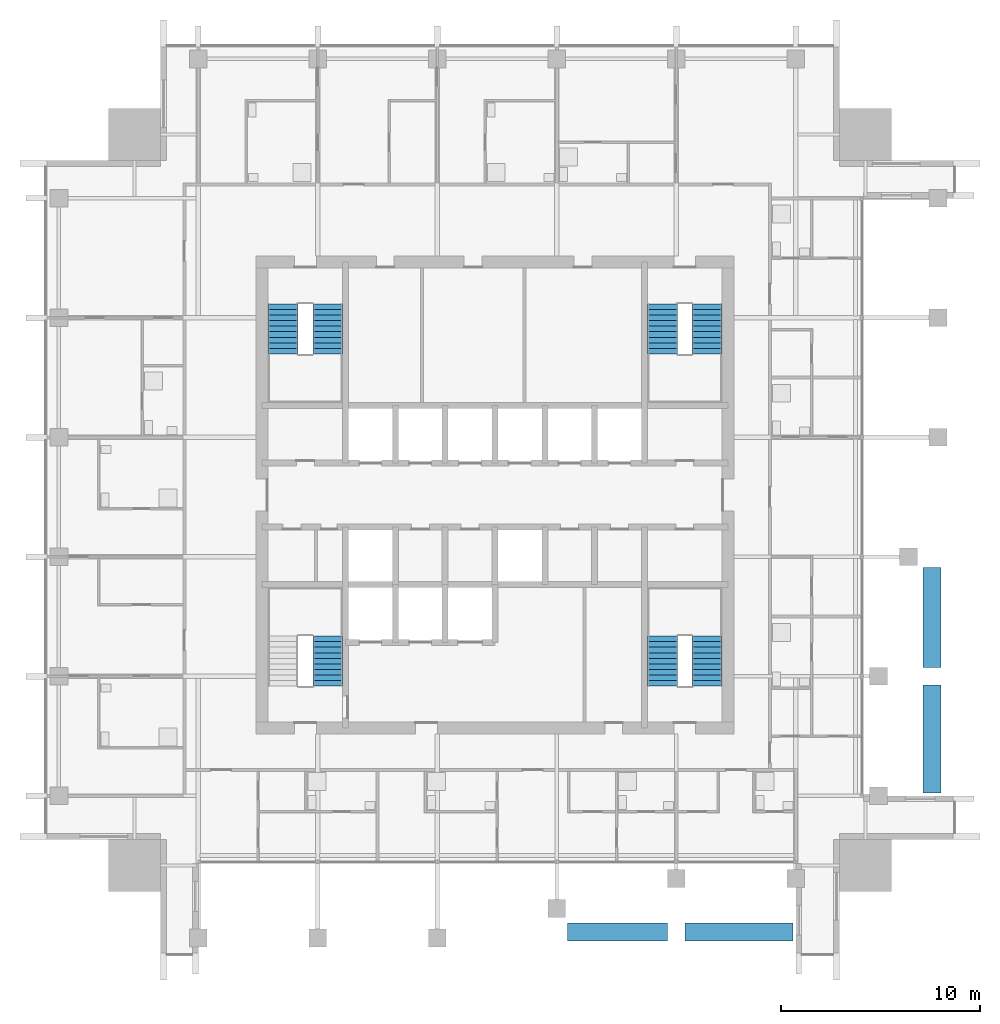
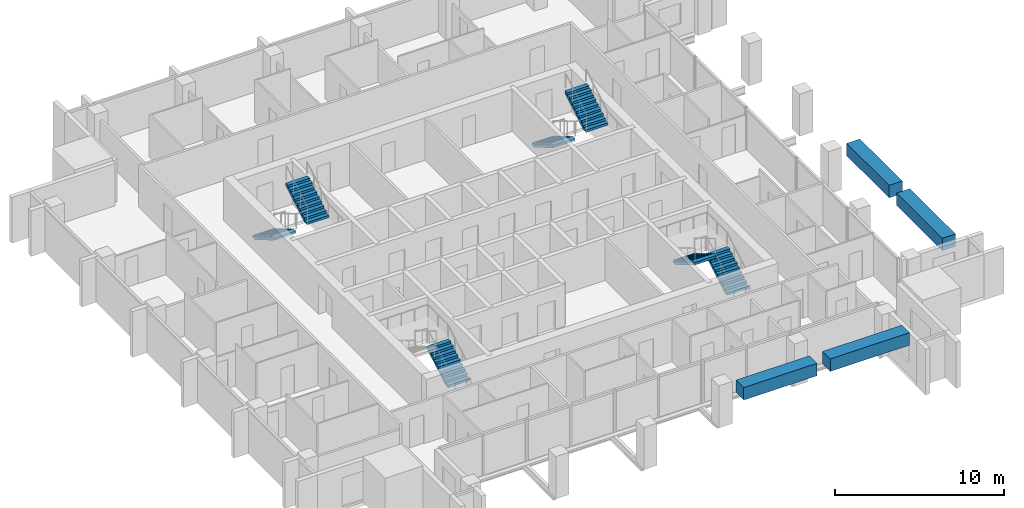
# One storey, part 12 of 14: 7 stair flights, 4 discrete accessories, 4 elements without a shape of their own.
"""IFC4 building model written with IfcOpenShell, lengths in metres."""

from ifc_helpers import new_model, si_unit, direction, frame, origin, origin_2d, place, context, subcontext, project, spatial, polyline, rectangle, outline, extrude, material, type_object, element, aggregate, save


model = new_model("IFC4")

# Units and contexts
model_context = context("Model", 3, precision=1e-05, world=origin(), true_north=direction((0.0, 1.0)))
body_context = subcontext(model_context, "Body", "Model", "MODEL_VIEW")
ifc_project = project(units=[si_unit("LENGTHUNIT", "METRE"), si_unit("AREAUNIT", "SQUARE_METRE"), si_unit("VOLUMEUNIT", "CUBIC_METRE"), si_unit("PLANEANGLEUNIT", "RADIAN"), si_unit("MASSUNIT", "GRAM", prefix="KILO")], contexts=[model_context])

# Site, building, storey
site_placement = place(None, origin())
site = spatial("IfcSite", under=ifc_project, at=site_placement, CompositionType="ELEMENT")
building_placement = place(site_placement, origin())
building = spatial("IfcBuilding", under=site, at=building_placement, Name="Amberfall Residences", CompositionType="ELEMENT")
storey_placement = place(building_placement, frame((0.0, 0.0, 220.0)))
storey = spatial("IfcBuildingStorey", under=building, at=storey_placement, Name="L59", CompositionType="ELEMENT", Elevation=220.0)

# Stair, stair flight
ifc_material = material(Name="Concrete C40", Category="concrete")
stair_type = type_object("IfcStairType", Name="Exit stair 20 risers 165.0 mm", PredefinedType="HALF_TURN_STAIR", material=ifc_material)
stair_1_placement = place(storey_placement, origin())
stair_1 = element("IfcStair", 1, at=stair_1_placement, inside=storey, type_object=stair_type, Name="L59 Exit stair 1", PredefinedType="HALF_TURN_STAIR")
stair_flight_type = type_object("IfcStairFlightType", Name="Stair flight 10 risers 165.0 mm", PredefinedType="STRAIGHT", material=ifc_material)
stair_flight_1_placement = place(storey_placement, frame((66.10009765625, 35.89990234375, 0.0), z_axis=(0.0, 0.0, 1.0), x_axis=(0.0, 1.0, 0.0)))
stair_flight_1 = element("IfcStairFlight", 2, at=stair_flight_1_placement, type_object=stair_flight_type, Name="ST3 flight 1", NumberOfRisers=10, NumberOfTreads=9, PredefinedType="STRAIGHT", RiserHeight=0.165, TreadLength=0.28, context=body_context, shape_type="SweptSolid", body=[
    extrude(outline(polyline([(0.0, 0.0), (0.0, 0.1650390625), (0.280029296875, 0.1650390625), (0.280029296875, 0.330078125), (0.56005859375, 0.330078125), (0.56005859375, 0.4951171875), (0.840087890625, 0.4951171875), (0.840087890625, 0.659912109375), (1.1201171875, 0.659912109375), (1.1201171875, 0.824951171875), (1.39990234375, 0.824951171875), (1.39990234375, 0.989990234375), (1.679931640625, 0.989990234375), (1.679931640625, 1.155029296875), (1.9599609375, 1.155029296875), (1.9599609375, 1.320068359375), (2.239990234375, 1.320068359375), (2.239990234375, 1.485107421875), (2.52001953125, 1.485107421875), (2.52001953125, 1.64990234375), (2.52001953125, 1.31103515625), (0.295166015625, 0.0), (0.0, 0.0)])), frame((0.0, 0.75, 0.0), z_axis=(0.0, -1.0, 0.0), x_axis=(1.0, 0.0, 0.0)), (0.0, 0.0, 1.0), 1.5),
])
aggregate(stair_1, [stair_flight_1])

# Stair, stair flights
stair_2_placement = place(storey_placement, origin())
stair_2 = element("IfcStair", 3, at=stair_2_placement, inside=storey, type_object=stair_type, Name="L59 Exit stair 2", PredefinedType="HALF_TURN_STAIR")
stair_flight_2_placement = place(storey_placement, frame((85.14990234375, 35.89990234375, 0.0), z_axis=(0.0, 0.0, 1.0), x_axis=(0.0, 1.0, 0.0)))
stair_flight_2 = element("IfcStairFlight", 4, at=stair_flight_2_placement, type_object=stair_flight_type, Name="ST3 flight 1", NumberOfRisers=10, NumberOfTreads=9, PredefinedType="STRAIGHT", RiserHeight=0.165, TreadLength=0.28, context=body_context, shape_type="SweptSolid", body=[
    extrude(outline(polyline([(0.0, 0.0), (0.0, 0.1650390625), (0.280029296875, 0.1650390625), (0.280029296875, 0.330078125), (0.56005859375, 0.330078125), (0.56005859375, 0.4951171875), (0.840087890625, 0.4951171875), (0.840087890625, 0.659912109375), (1.1201171875, 0.659912109375), (1.1201171875, 0.824951171875), (1.39990234375, 0.824951171875), (1.39990234375, 0.989990234375), (1.679931640625, 0.989990234375), (1.679931640625, 1.155029296875), (1.9599609375, 1.155029296875), (1.9599609375, 1.320068359375), (2.239990234375, 1.320068359375), (2.239990234375, 1.485107421875), (2.52001953125, 1.485107421875), (2.52001953125, 1.64990234375), (2.52001953125, 1.31103515625), (0.295166015625, 0.0), (0.0, 0.0)])), frame((0.0, 0.75, 0.0), z_axis=(0.0, -1.0, 0.0), x_axis=(1.0, 0.0, 0.0)), (0.0, 0.0, 1.0), 1.5),
])
stair_flight_3_placement = place(storey_placement, frame((82.89990234375, 38.419921875, 1.64990234375), z_axis=(0.0, 0.0, 1.0), x_axis=(0.0, -1.0, 0.0)))
stair_flight_3 = element("IfcStairFlight", 5, at=stair_flight_3_placement, type_object=stair_flight_type, Name="ST3 flight 2", NumberOfRisers=10, NumberOfTreads=9, PredefinedType="STRAIGHT", RiserHeight=0.165, TreadLength=0.28, context=body_context, shape_type="SweptSolid", body=[
    extrude(outline(polyline([(0.0, 0.0), (0.0, 0.1650390625), (0.280029296875, 0.1650390625), (0.280029296875, 0.330078125), (0.56005859375, 0.330078125), (0.56005859375, 0.4951171875), (0.840087890625, 0.4951171875), (0.840087890625, 0.659912109375), (1.1201171875, 0.659912109375), (1.1201171875, 0.824951171875), (1.39990234375, 0.824951171875), (1.39990234375, 0.989990234375), (1.679931640625, 0.989990234375), (1.679931640625, 1.155029296875), (1.9599609375, 1.155029296875), (1.9599609375, 1.320068359375), (2.239990234375, 1.320068359375), (2.239990234375, 1.485107421875), (2.52001953125, 1.485107421875), (2.52001953125, 1.64990234375), (2.52001953125, 1.31103515625), (0.295166015625, 0.0), (0.0, 0.0)])), frame((0.0, 0.75, 0.0), z_axis=(0.0, -1.0, 0.0), x_axis=(1.0, 0.0, 0.0)), (0.0, 0.0, 1.0), 1.5),
])
aggregate(stair_2, [stair_flight_2, stair_flight_3])

stair_3_placement = place(storey_placement, origin())
stair_3 = element("IfcStair", 6, at=stair_3_placement, inside=storey, type_object=stair_type, Name="L59 Exit stair 3", PredefinedType="HALF_TURN_STAIR")
stair_flight_4_placement = place(storey_placement, frame((82.89990234375, 55.10009765625, 0.0), z_axis=(0.0, 0.0, 1.0), x_axis=(0.0, -1.0, 0.0)))
stair_flight_4 = element("IfcStairFlight", 7, at=stair_flight_4_placement, type_object=stair_flight_type, Name="ST3 flight 1", NumberOfRisers=10, NumberOfTreads=9, PredefinedType="STRAIGHT", RiserHeight=0.165, TreadLength=0.28, context=body_context, shape_type="SweptSolid", body=[
    extrude(outline(polyline([(0.0, 0.0), (0.0, 0.1650390625), (0.280029296875, 0.1650390625), (0.280029296875, 0.330078125), (0.56005859375, 0.330078125), (0.56005859375, 0.4951171875), (0.840087890625, 0.4951171875), (0.840087890625, 0.659912109375), (1.1201171875, 0.659912109375), (1.1201171875, 0.824951171875), (1.39990234375, 0.824951171875), (1.39990234375, 0.989990234375), (1.679931640625, 0.989990234375), (1.679931640625, 1.155029296875), (1.9599609375, 1.155029296875), (1.9599609375, 1.320068359375), (2.239990234375, 1.320068359375), (2.239990234375, 1.485107421875), (2.52001953125, 1.485107421875), (2.52001953125, 1.64990234375), (2.52001953125, 1.31103515625), (0.295166015625, 0.0), (0.0, 0.0)])), frame((0.0, 0.75, 0.0), z_axis=(0.0, -1.0, 0.0), x_axis=(1.0, 0.0, 0.0)), (0.0, 0.0, 1.0), 1.5),
])
stair_flight_5_placement = place(storey_placement, frame((85.14990234375, 52.580078125, 1.64990234375), z_axis=(0.0, 0.0, 1.0), x_axis=(0.0, 1.0, 0.0)))
stair_flight_5 = element("IfcStairFlight", 8, at=stair_flight_5_placement, type_object=stair_flight_type, Name="ST3 flight 2", NumberOfRisers=10, NumberOfTreads=9, PredefinedType="STRAIGHT", RiserHeight=0.165, TreadLength=0.28, context=body_context, shape_type="SweptSolid", body=[
    extrude(outline(polyline([(0.0, 0.0), (0.0, 0.1650390625), (0.280029296875, 0.1650390625), (0.280029296875, 0.330078125), (0.56005859375, 0.330078125), (0.56005859375, 0.4951171875), (0.840087890625, 0.4951171875), (0.840087890625, 0.659912109375), (1.1201171875, 0.659912109375), (1.1201171875, 0.824951171875), (1.39990234375, 0.824951171875), (1.39990234375, 0.989990234375), (1.679931640625, 0.989990234375), (1.679931640625, 1.155029296875), (1.9599609375, 1.155029296875), (1.9599609375, 1.320068359375), (2.239990234375, 1.320068359375), (2.239990234375, 1.485107421875), (2.52001953125, 1.485107421875), (2.52001953125, 1.64990234375), (2.52001953125, 1.31103515625), (0.295166015625, 0.0), (0.0, 0.0)])), frame((0.0, 0.75, 0.0), z_axis=(0.0, -1.0, 0.0), x_axis=(1.0, 0.0, 0.0)), (0.0, 0.0, 1.0), 1.5),
])
aggregate(stair_3, [stair_flight_4, stair_flight_5])

stair_4_placement = place(storey_placement, origin())
stair_4 = element("IfcStair", 9, at=stair_4_placement, inside=storey, type_object=stair_type, Name="L59 Exit stair 4", PredefinedType="HALF_TURN_STAIR")
stair_flight_6_placement = place(storey_placement, frame((63.85009765625, 55.10009765625, 0.0), z_axis=(0.0, 0.0, 1.0), x_axis=(0.0, -1.0, 0.0)))
stair_flight_6 = element("IfcStairFlight", 10, at=stair_flight_6_placement, type_object=stair_flight_type, Name="ST3 flight 1", NumberOfRisers=10, NumberOfTreads=9, PredefinedType="STRAIGHT", RiserHeight=0.165, TreadLength=0.28, context=body_context, shape_type="SweptSolid", body=[
    extrude(outline(polyline([(0.0, 0.0), (0.0, 0.1650390625), (0.280029296875, 0.1650390625), (0.280029296875, 0.330078125), (0.56005859375, 0.330078125), (0.56005859375, 0.4951171875), (0.840087890625, 0.4951171875), (0.840087890625, 0.659912109375), (1.1201171875, 0.659912109375), (1.1201171875, 0.824951171875), (1.39990234375, 0.824951171875), (1.39990234375, 0.989990234375), (1.679931640625, 0.989990234375), (1.679931640625, 1.155029296875), (1.9599609375, 1.155029296875), (1.9599609375, 1.320068359375), (2.239990234375, 1.320068359375), (2.239990234375, 1.485107421875), (2.52001953125, 1.485107421875), (2.52001953125, 1.64990234375), (2.52001953125, 1.31103515625), (0.295166015625, 0.0), (0.0, 0.0)])), frame((0.0, 0.75, 0.0), z_axis=(0.0, -1.0, 0.0), x_axis=(1.0, 0.0, 0.0)), (0.0, 0.0, 1.0), 1.5),
])
stair_flight_7_placement = place(storey_placement, frame((66.10009765625, 52.580078125, 1.64990234375), z_axis=(0.0, 0.0, 1.0), x_axis=(0.0, 1.0, 0.0)))
stair_flight_7 = element("IfcStairFlight", 11, at=stair_flight_7_placement, type_object=stair_flight_type, Name="ST3 flight 2", NumberOfRisers=10, NumberOfTreads=9, PredefinedType="STRAIGHT", RiserHeight=0.165, TreadLength=0.28, context=body_context, shape_type="SweptSolid", body=[
    extrude(outline(polyline([(0.0, 0.0), (0.0, 0.1650390625), (0.280029296875, 0.1650390625), (0.280029296875, 0.330078125), (0.56005859375, 0.330078125), (0.56005859375, 0.4951171875), (0.840087890625, 0.4951171875), (0.840087890625, 0.659912109375), (1.1201171875, 0.659912109375), (1.1201171875, 0.824951171875), (1.39990234375, 0.824951171875), (1.39990234375, 0.989990234375), (1.679931640625, 0.989990234375), (1.679931640625, 1.155029296875), (1.9599609375, 1.155029296875), (1.9599609375, 1.320068359375), (2.239990234375, 1.320068359375), (2.239990234375, 1.485107421875), (2.52001953125, 1.485107421875), (2.52001953125, 1.64990234375), (2.52001953125, 1.31103515625), (0.295166015625, 0.0), (0.0, 0.0)])), frame((0.0, 0.75, 0.0), z_axis=(0.0, -1.0, 0.0), x_axis=(1.0, 0.0, 0.0)), (0.0, 0.0, 1.0), 1.5),
])
aggregate(stair_4, [stair_flight_6, stair_flight_7])

# Discrete accessories
for number, where, z_axis, x_axis, name in (
    (12, (86.75, 23.550048828125, 2.400146484375), (0.0, 0.0, 1.0), (1.0, 0.0, 0.0), "Planter box L60 S4"),
    (13, (96.449951171875, 33.25, 2.400146484375), (0.0, 0.0, 1.0), (0.0, 1.0, 0.0), "Planter box L60 E3"),
):
    element("IfcDiscreteAccessory", number, at=place(storey_placement, frame(where, z_axis=z_axis, x_axis=x_axis)), inside=storey, Name=name, ObjectType="PLANTER BOX", PredefinedType="USERDEFINED", context=body_context, shape_type="SweptSolid", body=[
        extrude(rectangle(XDim=5.39990234375, YDim=0.89990234375, at=origin_2d()), origin(), (0.0, 0.0, 1.0), 0.89990234375),
    ])
for number, where, z_axis, x_axis, name in (
    (14, (80.64501953125, 23.550048828125, 2.400146484375), (0.0, 0.0, 1.0), (1.0, 0.0, 0.0), "Planter box L60 S3"),
    (15, (96.449951171875, 39.35498046875, 2.400146484375), (0.0, 0.0, 1.0), (0.0, 1.0, 0.0), "Planter box L60 E4"),
):
    element("IfcDiscreteAccessory", number, at=place(storey_placement, frame(where, z_axis=z_axis, x_axis=x_axis)), inside=storey, Name=name, ObjectType="PLANTER BOX", PredefinedType="USERDEFINED", context=body_context, shape_type="SweptSolid", body=[
        extrude(rectangle(XDim=5.010009765625, YDim=0.89990234375, at=origin_2d()), origin(), (0.0, 0.0, 1.0), 0.89990234375),
    ])

save(model, "model.ifc")
